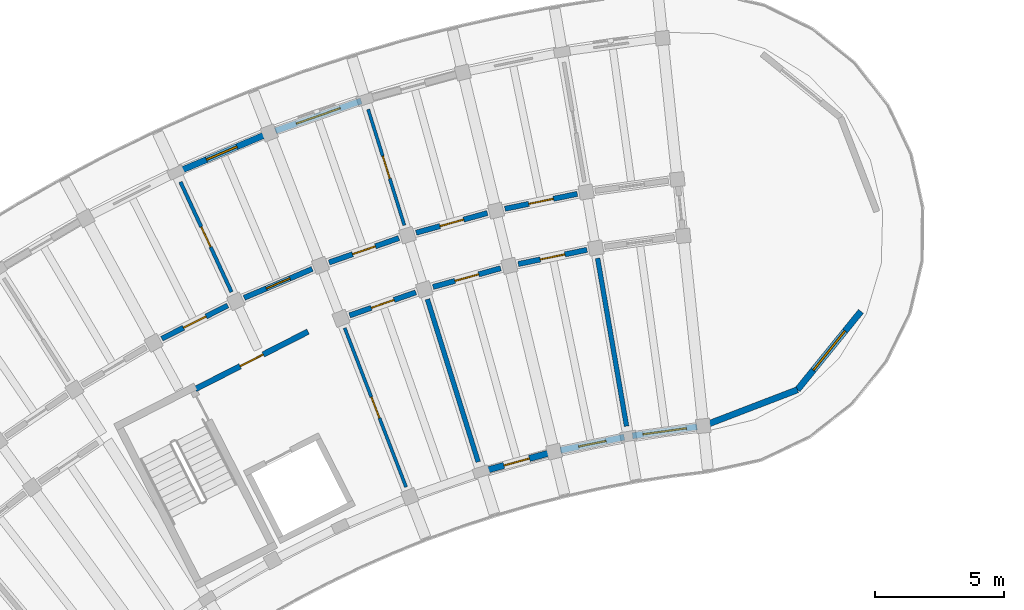
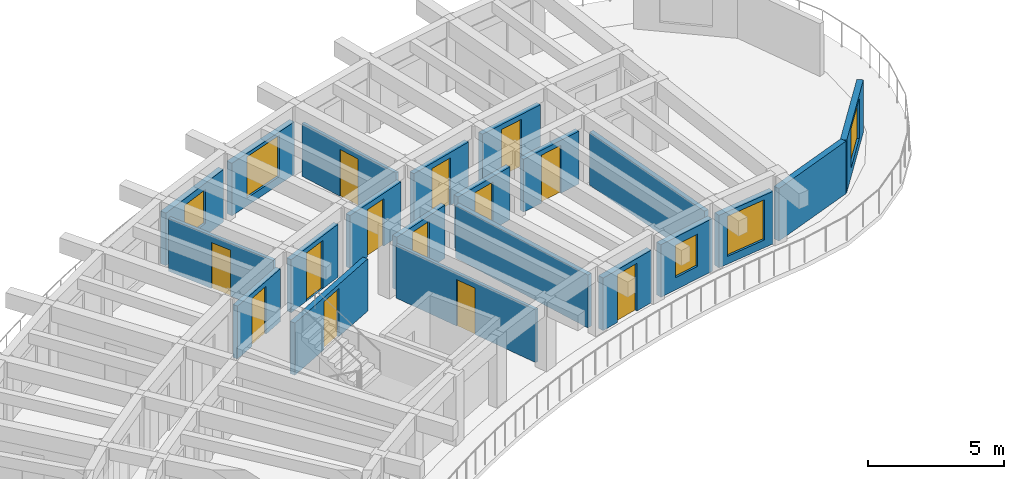
# One storey, part 36 of 69: 21 walls, 13 doors, 5 windows, 18 openings.
"""IFC4 building model written with IfcOpenShell, lengths in metres."""

from ifc_helpers import new_model, si_unit, direction, frame, frame_2d, origin, place, context, subcontext, project, spatial, rectangle, extrude, material, layer, layer_set, type_object, element, fill, save


model = new_model("IFC4")

# Units and contexts
model_context = context("Model", 3, precision=1e-05, world=origin(), true_north=direction((0.0, 1.0)))
body_context = subcontext(model_context, "Body", "Model", "MODEL_VIEW")
ifc_project = project(units=[si_unit("LENGTHUNIT", "METRE"), si_unit("AREAUNIT", "SQUARE_METRE"), si_unit("VOLUMEUNIT", "CUBIC_METRE"), si_unit("PLANEANGLEUNIT", "RADIAN"), si_unit("MASSUNIT", "GRAM", prefix="KILO")], contexts=[model_context])

# Site, building, storey
site_placement = place(None, origin())
site = spatial("IfcSite", under=ifc_project, at=site_placement, CompositionType="ELEMENT")
building_placement = place(site_placement, origin())
building = spatial("IfcBuilding", under=site, at=building_placement, Name="Tanwirah Colonnade Gardens", CompositionType="ELEMENT")
storey_placement = place(building_placement, frame((0.0, 0.0, 15.56005859375)))
storey = spatial("IfcBuildingStorey", under=building, at=storey_placement, Name="L04", CompositionType="ELEMENT", Elevation=15.56005859375)

# Wall, opening, window
ifc_material_1 = material(Name="Limestone architectural precast concrete C40/50", Category="masonry")
ifc_layer_1 = layer(ifc_material_1, 0.2451171875)
ifc_layer_set_1 = layer_set([ifc_layer_1], Name="Limestone architectural precast concrete C40/50")
wall_type_1 = type_object("IfcWallType", Name="EW-PC245", PredefinedType="SOLIDWALL", material=ifc_layer_set_1)
wall_1_placement = place(storey_placement, frame((60.111083984375, 104.372802734375, 0.0), z_axis=(0.0, 0.0, 1.0), x_axis=(-0.990545622952, -0.13718370476, 0.0)))
wall_1 = element("IfcWall", 1, at=wall_1_placement, inside=storey, type_object=wall_type_1, Name="Block A L04 IN Precast Facade Wall 0", PredefinedType="SOLIDWALL", context=body_context, shape_type="SweptSolid", body=[
    extrude(rectangle(XDim=2.525390625, YDim=0.2451171875, at=frame_2d((1.2626953125, 0.0))), origin(), (0.0, 0.0, 1.0), 2.35498046875),
])
opening_1_placement = place(wall_1_placement, frame((0.41259765625, 0.0, 0.35009765625)))
opening_1 = element("IfcOpeningElement", 2, at=opening_1_placement, cuts=wall_1, Name="Opening WIN-T12", PredefinedType="OPENING", context=body_context, shape_type="SweptSolid", body=[
    extrude(rectangle(XDim=1.699951171875, YDim=1.800048828125, at=frame_2d((0.85009765625, 0.89990234375))), frame((0.0, 0.132568359375, 0.0), z_axis=(0.0, -1.0, 0.0), x_axis=(1.0, 0.0, 0.0)), (0.0, 0.0, 1.0), 0.26513671875),
])
ifc_material_2 = material(Name="Thermally broken bronze aluminium and solar low-E double glazing", Category="aluminium")
window_type_1 = type_object("IfcWindowType", Name="WIN-T12", PartitioningType="TRIPLE_PANEL_VERTICAL", PredefinedType="WINDOW", material=ifc_material_2)
window_1_placement = place(opening_1_placement, origin())
window_1 = element("IfcWindow", 3, at=window_1_placement, inside=storey, type_object=window_type_1, Name="Facade window A-L04-IN-00", OverallHeight=1.800048828125, OverallWidth=1.699951171875, PartitioningType="SINGLE_PANEL", PredefinedType="WINDOW", context=body_context, shape_type="SweptSolid", body=[
    extrude(rectangle(XDim=1.699951171875, YDim=1.800048828125, at=frame_2d((0.85009765625, 0.89990234375))), frame((0.0, 0.030029296875, 0.0), z_axis=(0.0, -1.0, 0.0), x_axis=(1.0, 0.0, 0.0)), (0.0, 0.0, 1.0), 0.06005859375),
])
fill(opening_1, window_1)

wall_2_placement = place(storey_placement, frame((57.29443359375, 103.971923828125, 0.0), z_axis=(0.0, 0.0, 1.0), x_axis=(-0.979334432394, -0.20224754517, 0.0)))
wall_2 = element("IfcWall", 4, at=wall_2_placement, inside=storey, type_object=wall_type_1, Name="Block A L04 IN Precast Facade Wall 1", PredefinedType="SOLIDWALL", context=body_context, shape_type="SweptSolid", body=[
    extrude(rectangle(XDim=2.525390625, YDim=0.2451171875, at=frame_2d((1.2626953125, 0.0))), origin(), (0.0, 0.0, 1.0), 2.35498046875),
])
opening_2_placement = place(wall_2_placement, frame((0.72265625, 0.0, 0.550048828125)))
opening_2 = element("IfcOpeningElement", 5, at=opening_2_placement, cuts=wall_2, Name="Opening WIN-T15", PredefinedType="OPENING", context=body_context, shape_type="SweptSolid", body=[
    extrude(rectangle(XDim=1.080078125, YDim=1.449951171875, at=frame_2d((0.5400390625, 0.72509765625))), frame((0.0, 0.132568359375, 0.0), z_axis=(0.0, -1.0, 0.0), x_axis=(1.0, 0.0, 0.0)), (0.0, 0.0, 1.0), 0.26513671875),
])
window_type_2 = type_object("IfcWindowType", Name="WIN-T15", PartitioningType="SINGLE_PANEL", PredefinedType="WINDOW", material=ifc_material_2)
window_2_placement = place(opening_2_placement, origin())
window_2 = element("IfcWindow", 6, at=window_2_placement, inside=storey, type_object=window_type_2, Name="Facade window A-L04-IN-01", OverallHeight=1.449951171875, OverallWidth=1.080078125, PartitioningType="SINGLE_PANEL", PredefinedType="WINDOW", context=body_context, shape_type="SweptSolid", body=[
    extrude(rectangle(XDim=1.080078125, YDim=1.449951171875, at=frame_2d((0.5400390625, 0.72509765625))), frame((0.0, 0.030029296875, 0.0), z_axis=(0.0, -1.0, 0.0), x_axis=(1.0, 0.0, 0.0)), (0.0, 0.0, 1.0), 0.06005859375),
])
fill(opening_2, window_2)

# Wall, opening, door
wall_3_placement = place(storey_placement, frame((54.34521484375, 103.346435546875, 0.0), z_axis=(0.0, 0.0, 1.0), x_axis=(-0.963901971286, -0.266257375017, 0.0)))
wall_3 = element("IfcWall", 7, at=wall_3_placement, inside=storey, type_object=wall_type_1, Name="Block A L04 IN Precast Facade Wall 2", PredefinedType="SOLIDWALL", context=body_context, shape_type="SweptSolid", body=[
    extrude(rectangle(XDim=2.525146484375, YDim=0.2451171875, at=frame_2d((1.2626953125, 0.0))), origin(), (0.0, 0.0, 1.0), 2.35498046875),
])
opening_3_placement = place(wall_3_placement, frame((0.752685546875, 0.0, 0.0)))
opening_3 = element("IfcOpeningElement", 8, at=opening_3_placement, cuts=wall_3, Name="Opening L04-ED018", PredefinedType="OPENING", context=body_context, shape_type="SweptSolid", body=[
    extrude(rectangle(XDim=1.02001953125, YDim=2.139892578125, at=frame_2d((0.510009765625, 1.06982421875))), frame((0.0, 0.132568359375, 0.0), z_axis=(0.0, -1.0, 0.0), x_axis=(1.0, 0.0, 0.0)), (0.0, 0.0, 1.0), 0.26513671875),
])
ifc_material_3 = material(Name="Bronze aluminium glazed balcony door", Category="aluminium")
door_type_1 = type_object("IfcDoorType", Name="ED-BAL102", OperationType="NOTDEFINED", PredefinedType="DOOR", material=ifc_material_3)
door_1_placement = place(opening_3_placement, origin())
door_1 = element("IfcDoor", 9, at=door_1_placement, inside=storey, type_object=door_type_1, Name="Balcony glazed door L04-ED018", OperationType="SINGLE_SWING_LEFT", OverallHeight=2.139892578125, OverallWidth=1.02001953125, PredefinedType="DOOR", context=body_context, shape_type="SweptSolid", body=[
    extrude(rectangle(XDim=1.02001953125, YDim=2.139892578125, at=frame_2d((0.510009765625, 1.06982421875))), frame((0.0, 0.02490234375, 0.0), z_axis=(0.0, -1.0, 0.0), x_axis=(1.0, 0.0, 0.0)), (0.0, 0.0, 1.0), 0.050048828125),
])
fill(opening_3, door_1)

# Wall, opening, window
wall_4_placement = place(storey_placement, frame((47.107177734375, 116.992919921875, 0.0), z_axis=(0.0, 0.0, 1.0), x_axis=(-0.944267366677, -0.329179495455, 0.0)))
wall_4 = element("IfcWall", 10, at=wall_4_placement, inside=storey, type_object=wall_type_1, Name="Block A L04 OUT Precast Facade Wall 3", PredefinedType="SOLIDWALL", context=body_context, shape_type="SweptSolid", body=[
    extrude(rectangle(XDim=3.520751953125, YDim=0.2451171875, at=frame_2d((1.76025390625, 0.0))), origin(), (0.0, 0.0, 1.0), 2.35498046875),
])
opening_4_placement = place(wall_4_placement, frame((0.8603515625, 0.0, 0.35009765625)))
opening_4 = element("IfcOpeningElement", 11, at=opening_4_placement, cuts=wall_4, Name="Opening WIN-T14", PredefinedType="OPENING", context=body_context, shape_type="SweptSolid", body=[
    extrude(rectangle(XDim=1.800048828125, YDim=1.85009765625, at=frame_2d((0.89990234375, 0.925048828125))), frame((0.0, 0.132568359375, 0.0), z_axis=(0.0, -1.0, 0.0), x_axis=(1.0, 0.0, 0.0)), (0.0, 0.0, 1.0), 0.26513671875),
])
window_type_3 = type_object("IfcWindowType", Name="WIN-T14", PartitioningType="TRIPLE_PANEL_VERTICAL", PredefinedType="WINDOW", material=ifc_material_2)
window_3_placement = place(opening_4_placement, origin())
window_3 = element("IfcWindow", 12, at=window_3_placement, inside=storey, type_object=window_type_3, Name="Facade window A-L04-OUT-03", OverallHeight=1.85009765625, OverallWidth=1.800048828125, PartitioningType="SINGLE_PANEL", PredefinedType="WINDOW", context=body_context, shape_type="SweptSolid", body=[
    extrude(rectangle(XDim=1.800048828125, YDim=1.85009765625, at=frame_2d((0.89990234375, 0.925048828125))), frame((0.0, 0.030029296875, 0.0), z_axis=(0.0, -1.0, 0.0), x_axis=(1.0, 0.0, 0.0)), (0.0, 0.0, 1.0), 0.06005859375),
])
fill(opening_4, window_3)

wall_5_placement = place(storey_placement, frame((43.325927734375, 115.657470703125, 0.0), z_axis=(0.0, 0.0, 1.0), x_axis=(-0.920502438884, -0.390736816807, 0.0)))
wall_5 = element("IfcWall", 13, at=wall_5_placement, inside=storey, type_object=wall_type_1, Name="Block A L04 OUT Precast Facade Wall 4", PredefinedType="SOLIDWALL", context=body_context, shape_type="SweptSolid", body=[
    extrude(rectangle(XDim=3.520751953125, YDim=0.2451171875, at=frame_2d((1.76025390625, 0.0))), origin(), (0.0, 0.0, 1.0), 2.35498046875),
])
opening_5_placement = place(wall_5_placement, frame((1.120361328125, 0.0, 0.550048828125)))
opening_5 = element("IfcOpeningElement", 14, at=opening_5_placement, cuts=wall_5, Name="Opening WIN-T17", PredefinedType="OPENING", context=body_context, shape_type="SweptSolid", body=[
    extrude(rectangle(XDim=1.280029296875, YDim=1.52001953125, at=frame_2d((0.64013671875, 0.760009765625))), frame((0.0, 0.132568359375, 0.0), z_axis=(0.0, -1.0, 0.0), x_axis=(1.0, 0.0, 0.0)), (0.0, 0.0, 1.0), 0.26513671875),
])
window_type_4 = type_object("IfcWindowType", Name="WIN-T17", PartitioningType="SINGLE_PANEL", PredefinedType="WINDOW", material=ifc_material_2)
window_4_placement = place(opening_5_placement, origin())
window_4 = element("IfcWindow", 15, at=window_4_placement, inside=storey, type_object=window_type_4, Name="Facade window A-L04-OUT-04", OverallHeight=1.52001953125, OverallWidth=1.280029296875, PartitioningType="SINGLE_PANEL", PredefinedType="WINDOW", context=body_context, shape_type="SweptSolid", body=[
    extrude(rectangle(XDim=1.280029296875, YDim=1.52001953125, at=frame_2d((0.64013671875, 0.760009765625))), frame((0.0, 0.030029296875, 0.0), z_axis=(0.0, -1.0, 0.0), x_axis=(1.0, 0.0, 0.0)), (0.0, 0.0, 1.0), 0.06005859375),
])
fill(opening_5, window_4)

wall_6_placement = place(storey_placement, frame((66.461669921875, 108.84423828125, 0.0), z_axis=(0.0, 0.0, 1.0), x_axis=(-0.629331205321, -0.777137204109, 0.0)))
wall_6 = element("IfcWall", 16, at=wall_6_placement, inside=storey, type_object=wall_type_1, Name="Block A L04 START Rounded End Wall 4", PredefinedType="SOLIDWALL", context=body_context, shape_type="SweptSolid", body=[
    extrude(rectangle(XDim=3.907958984375, YDim=0.2451171875, at=frame_2d((1.9541015625, 0.0))), origin(), (0.0, 0.0, 1.0), 2.35498046875),
])
opening_6_placement = place(wall_6_placement, frame((0.97900390625, 0.0, 0.39990234375)))
opening_6 = element("IfcOpeningElement", 17, at=opening_6_placement, cuts=wall_6, Name="Opening WIN-END2", PredefinedType="OPENING", context=body_context, shape_type="SweptSolid", body=[
    extrude(rectangle(XDim=1.949951171875, YDim=1.780029296875, at=frame_2d((0.97509765625, 0.89013671875))), frame((0.0, 0.132568359375, 0.0), z_axis=(0.0, -1.0, 0.0), x_axis=(1.0, 0.0, 0.0)), (0.0, 0.0, 1.0), 0.26513671875),
])
window_type_5 = type_object("IfcWindowType", Name="WIN-END2", PartitioningType="TRIPLE_PANEL_VERTICAL", PredefinedType="WINDOW", material=ifc_material_2)
window_5_placement = place(opening_6_placement, origin())
window_5 = element("IfcWindow", 18, at=window_5_placement, inside=storey, type_object=window_type_5, Name="Rounded corner window A-L04-START-4", OverallHeight=1.780029296875, OverallWidth=1.949951171875, PartitioningType="SINGLE_PANEL", PredefinedType="WINDOW", context=body_context, shape_type="SweptSolid", body=[
    extrude(rectangle(XDim=1.949951171875, YDim=1.780029296875, at=frame_2d((0.97509765625, 0.89013671875))), frame((0.0, 0.030029296875, 0.0), z_axis=(0.0, -1.0, 0.0), x_axis=(1.0, 0.0, 0.0)), (0.0, 0.0, 1.0), 0.06005859375),
])
fill(opening_6, window_5)

# Wall
wall_7_placement = place(storey_placement, frame((64.002197265625, 105.80712890625, 0.0), z_axis=(0.0, 0.0, 1.0), x_axis=(-0.93356922619, -0.35839712598, 0.0)))
element("IfcWall", 19, at=wall_7_placement, inside=storey, type_object=wall_type_1, Name="Block A L04 START Rounded End Wall 5", PredefinedType="SOLIDWALL", context=body_context, shape_type="SweptSolid", body=[
    extrude(rectangle(XDim=3.907958984375, YDim=0.2451171875, at=frame_2d((1.9541015625, 0.0))), origin(), (0.0, 0.0, 1.0), 2.35498046875),
])

# Wall, opening, door
ifc_material_4 = material(Name="Precast concrete C40/50", Category="concrete")
ifc_layer_2 = layer(ifc_material_4, 0.205078125)
ifc_layer_set_2 = layer_set([ifc_layer_2], Name="Precast concrete C40/50")
wall_type_2 = type_object("IfcWallType", Name="IW-CORR205", PredefinedType="PARTITIONING", material=ifc_layer_set_2)
wall_8_placement = place(storey_placement, frame((55.47802734375, 113.39404296875, 0.0), z_axis=(0.0, 0.0, 1.0), x_axis=(-0.979348418612, -0.202179808492, 0.0)))
wall_8 = element("IfcWall", 20, at=wall_8_placement, inside=storey, type_object=wall_type_2, Name="Block A L04 OUT Corridor Wall 1", PredefinedType="PARTITIONING", context=body_context, shape_type="SweptSolid", body=[
    extrude(rectangle(XDim=2.863037109375, YDim=0.205078125, at=frame_2d((1.431640625, 0.0))), origin(), (0.0, 0.0, 1.0), 2.369873046875),
])
opening_7_placement = place(wall_8_placement, frame((0.946533203125, 0.0, 0.0)))
opening_7 = element("IfcOpeningElement", 21, at=opening_7_placement, cuts=wall_8, Name="Opening L04-AD392", PredefinedType="OPENING", context=body_context, shape_type="SweptSolid", body=[
    extrude(rectangle(XDim=0.969970703125, YDim=2.14990234375, at=frame_2d((0.48486328125, 1.074951171875))), frame((0.0, 0.112548828125, 0.0), z_axis=(0.0, -1.0, 0.0), x_axis=(1.0, 0.0, 0.0)), (0.0, 0.0, 1.0), 0.22509765625),
])
ifc_material_5 = material(Name="Solid oak fire-resisting apartment entrance door")
door_type_2 = type_object("IfcDoorType", Name="ID-FLT097", OperationType="NOTDEFINED", PredefinedType="DOOR", material=ifc_material_5)
door_2_placement = place(opening_7_placement, origin())
door_2 = element("IfcDoor", 22, at=door_2_placement, inside=storey, type_object=door_type_2, Name="Apartment corridor door L04-AD392", OperationType="SINGLE_SWING_RIGHT", OverallHeight=2.14990234375, OverallWidth=0.969970703125, PredefinedType="DOOR", context=body_context, shape_type="SweptSolid", body=[
    extrude(rectangle(XDim=0.969970703125, YDim=2.14990234375, at=frame_2d((0.48486328125, 1.074951171875))), frame((0.0, 0.02490234375, 0.0), z_axis=(0.0, -1.0, 0.0), x_axis=(1.0, 0.0, 0.0)), (0.0, 0.0, 1.0), 0.050048828125),
])
fill(opening_7, door_2)

wall_9_placement = place(storey_placement, frame((55.851806640625, 111.22607421875, 0.0), z_axis=(0.0, 0.0, 1.0), x_axis=(-0.979349423541, -0.202174940608, 0.0)))
wall_9 = element("IfcWall", 23, at=wall_9_placement, inside=storey, type_object=wall_type_2, Name="Block A L04 IN Corridor Wall 1", PredefinedType="PARTITIONING", context=body_context, shape_type="SweptSolid", body=[
    extrude(rectangle(XDim=2.71826171875, YDim=0.205078125, at=frame_2d((1.359130859375, 0.0))), origin(), (0.0, 0.0, 1.0), 2.369873046875),
])
opening_8_placement = place(wall_9_placement, frame((0.8740234375, 0.0, 0.0)))
opening_8 = element("IfcOpeningElement", 24, at=opening_8_placement, cuts=wall_9, Name="Opening L04-AD393", PredefinedType="OPENING", context=body_context, shape_type="SweptSolid", body=[
    extrude(rectangle(XDim=0.969970703125, YDim=2.14990234375, at=frame_2d((0.48486328125, 1.074951171875))), frame((0.0, 0.112548828125, 0.0), z_axis=(0.0, -1.0, 0.0), x_axis=(1.0, 0.0, 0.0)), (0.0, 0.0, 1.0), 0.22509765625),
])
door_3_placement = place(opening_8_placement, origin())
door_3 = element("IfcDoor", 25, at=door_3_placement, inside=storey, type_object=door_type_2, Name="Apartment corridor door L04-AD393", OperationType="SINGLE_SWING_LEFT", OverallHeight=2.14990234375, OverallWidth=0.969970703125, PredefinedType="DOOR", context=body_context, shape_type="SweptSolid", body=[
    extrude(rectangle(XDim=0.969970703125, YDim=2.14990234375, at=frame_2d((0.48486328125, 1.074951171875))), frame((0.0, 0.02490234375, 0.0), z_axis=(0.0, -1.0, 0.0), x_axis=(1.0, 0.0, 0.0)), (0.0, 0.0, 1.0), 0.050048828125),
])
fill(opening_8, door_3)

wall_10_placement = place(storey_placement, frame((51.993896484375, 112.651123046875, 0.0), z_axis=(0.0, 0.0, 1.0), x_axis=(-0.963890789093, -0.266297853356, 0.0)))
wall_10 = element("IfcWall", 26, at=wall_10_placement, inside=storey, type_object=wall_type_2, Name="Block A L04 OUT Corridor Wall 2", PredefinedType="PARTITIONING", context=body_context, shape_type="SweptSolid", body=[
    extrude(rectangle(XDim=2.863037109375, YDim=0.205078125, at=frame_2d((1.431640625, 0.0))), origin(), (0.0, 0.0, 1.0), 2.369873046875),
])
opening_9_placement = place(wall_10_placement, frame((0.95654296875, 0.0, 0.0)))
opening_9 = element("IfcOpeningElement", 27, at=opening_9_placement, cuts=wall_10, Name="Opening L04-AD394", PredefinedType="OPENING", context=body_context, shape_type="SweptSolid", body=[
    extrude(rectangle(XDim=0.949951171875, YDim=2.1298828125, at=frame_2d((0.47509765625, 1.06494140625))), frame((0.0, 0.112548828125, 0.0), z_axis=(0.0, -1.0, 0.0), x_axis=(1.0, 0.0, 0.0)), (0.0, 0.0, 1.0), 0.22509765625),
])
door_type_3 = type_object("IfcDoorType", Name="ID-FLT095", OperationType="NOTDEFINED", PredefinedType="DOOR", material=ifc_material_5)
door_4_placement = place(opening_9_placement, origin())
door_4 = element("IfcDoor", 28, at=door_4_placement, inside=storey, type_object=door_type_3, Name="Apartment corridor door L04-AD394", OperationType="SINGLE_SWING_LEFT", OverallHeight=2.1298828125, OverallWidth=0.949951171875, PredefinedType="DOOR", context=body_context, shape_type="SweptSolid", body=[
    extrude(rectangle(XDim=0.949951171875, YDim=2.1298828125, at=frame_2d((0.47509765625, 1.06494140625))), frame((0.0, 0.02490234375, 0.0), z_axis=(0.0, -1.0, 0.0), x_axis=(1.0, 0.0, 0.0)), (0.0, 0.0, 1.0), 0.050048828125),
])
fill(opening_9, door_4)

wall_11_placement = place(storey_placement, frame((52.509521484375, 110.512451171875, 0.0), z_axis=(0.0, 0.0, 1.0), x_axis=(-0.96388375821, -0.266323301006, 0.0)))
wall_11 = element("IfcWall", 29, at=wall_11_placement, inside=storey, type_object=wall_type_2, Name="Block A L04 IN Corridor Wall 2", PredefinedType="PARTITIONING", context=body_context, shape_type="SweptSolid", body=[
    extrude(rectangle(XDim=2.718017578125, YDim=0.205078125, at=frame_2d((1.35888671875, 0.0))), origin(), (0.0, 0.0, 1.0), 2.369873046875),
])
opening_10_placement = place(wall_11_placement, frame((0.884033203125, 0.0, 0.0)))
opening_10 = element("IfcOpeningElement", 30, at=opening_10_placement, cuts=wall_11, Name="Opening L04-AD395", PredefinedType="OPENING", context=body_context, shape_type="SweptSolid", body=[
    extrude(rectangle(XDim=0.949951171875, YDim=2.1298828125, at=frame_2d((0.47509765625, 1.06494140625))), frame((0.0, 0.112548828125, 0.0), z_axis=(0.0, -1.0, 0.0), x_axis=(1.0, 0.0, 0.0)), (0.0, 0.0, 1.0), 0.22509765625),
])
door_5_placement = place(opening_10_placement, origin())
door_5 = element("IfcDoor", 31, at=door_5_placement, inside=storey, type_object=door_type_3, Name="Apartment corridor door L04-AD395", OperationType="SINGLE_SWING_RIGHT", OverallHeight=2.1298828125, OverallWidth=0.949951171875, PredefinedType="DOOR", context=body_context, shape_type="SweptSolid", body=[
    extrude(rectangle(XDim=0.949951171875, YDim=2.1298828125, at=frame_2d((0.47509765625, 1.06494140625))), frame((0.0, 0.02490234375, 0.0), z_axis=(0.0, -1.0, 0.0), x_axis=(1.0, 0.0, 0.0)), (0.0, 0.0, 1.0), 0.050048828125),
])
fill(opening_10, door_5)

wall_12_placement = place(storey_placement, frame((48.56640625, 111.68017578125, 0.0), z_axis=(0.0, 0.0, 1.0), x_axis=(-0.944253820929, -0.329218349522, 0.0)))
wall_12 = element("IfcWall", 32, at=wall_12_placement, inside=storey, type_object=wall_type_2, Name="Block A L04 OUT Corridor Wall 3", PredefinedType="PARTITIONING", context=body_context, shape_type="SweptSolid", body=[
    extrude(rectangle(XDim=2.86328125, YDim=0.205078125, at=frame_2d((1.431640625, 0.0))), origin(), (0.0, 0.0, 1.0), 2.369873046875),
])
opening_11_placement = place(wall_12_placement, frame((0.966552734375, 0.0, 0.0)))
opening_11 = element("IfcOpeningElement", 33, at=opening_11_placement, cuts=wall_12, Name="Opening L04-AD397", PredefinedType="OPENING", context=body_context, shape_type="SweptSolid", body=[
    extrude(rectangle(XDim=0.929931640625, YDim=2.1201171875, at=frame_2d((0.46484375, 1.06005859375))), frame((0.0, 0.112548828125, 0.0), z_axis=(0.0, -1.0, 0.0), x_axis=(1.0, 0.0, 0.0)), (0.0, 0.0, 1.0), 0.22509765625),
])
door_type_4 = type_object("IfcDoorType", Name="ID-FLT093", OperationType="NOTDEFINED", PredefinedType="DOOR", material=ifc_material_5)
door_6_placement = place(opening_11_placement, origin())
door_6 = element("IfcDoor", 34, at=door_6_placement, inside=storey, type_object=door_type_4, Name="Apartment corridor door L04-AD397", OperationType="SINGLE_SWING_RIGHT", OverallHeight=2.1201171875, OverallWidth=0.929931640625, PredefinedType="DOOR", context=body_context, shape_type="SweptSolid", body=[
    extrude(rectangle(XDim=0.929931640625, YDim=2.1201171875, at=frame_2d((0.46484375, 1.06005859375))), frame((0.0, 0.02490234375, 0.0), z_axis=(0.0, -1.0, 0.0), x_axis=(1.0, 0.0, 0.0)), (0.0, 0.0, 1.0), 0.050048828125),
])
fill(opening_11, door_6)

wall_13_placement = place(storey_placement, frame((49.221923828125, 109.580078125, 0.0), z_axis=(0.0, 0.0, 1.0), x_axis=(-0.944265123647, -0.329185929627, 0.0)))
wall_13 = element("IfcWall", 35, at=wall_13_placement, inside=storey, type_object=wall_type_2, Name="Block A L04 IN Corridor Wall 3", PredefinedType="PARTITIONING", context=body_context, shape_type="SweptSolid", body=[
    extrude(rectangle(XDim=2.71826171875, YDim=0.205078125, at=frame_2d((1.359130859375, 0.0))), origin(), (0.0, 0.0, 1.0), 2.369873046875),
])
opening_12_placement = place(wall_13_placement, frame((0.89404296875, 0.0, 0.0)))
opening_12 = element("IfcOpeningElement", 36, at=opening_12_placement, cuts=wall_13, Name="Opening L04-AD398", PredefinedType="OPENING", context=body_context, shape_type="SweptSolid", body=[
    extrude(rectangle(XDim=0.929931640625, YDim=2.1201171875, at=frame_2d((0.46484375, 1.06005859375))), frame((0.0, 0.112548828125, 0.0), z_axis=(0.0, -1.0, 0.0), x_axis=(1.0, 0.0, 0.0)), (0.0, 0.0, 1.0), 0.22509765625),
])
door_7_placement = place(opening_12_placement, origin())
door_7 = element("IfcDoor", 37, at=door_7_placement, inside=storey, type_object=door_type_4, Name="Apartment corridor door L04-AD398", OperationType="SINGLE_SWING_LEFT", OverallHeight=2.1201171875, OverallWidth=0.929931640625, PredefinedType="DOOR", context=body_context, shape_type="SweptSolid", body=[
    extrude(rectangle(XDim=0.929931640625, YDim=2.1201171875, at=frame_2d((0.46484375, 1.06005859375))), frame((0.0, 0.02490234375, 0.0), z_axis=(0.0, -1.0, 0.0), x_axis=(1.0, 0.0, 0.0)), (0.0, 0.0, 1.0), 0.050048828125),
])
fill(opening_12, door_7)

wall_14_placement = place(storey_placement, frame((45.210205078125, 110.485595703125, 0.0), z_axis=(0.0, 0.0, 1.0), x_axis=(-0.920511160294, -0.390716270168, 0.0)))
wall_14 = element("IfcWall", 38, at=wall_14_placement, inside=storey, type_object=wall_type_2, Name="Block A L04 OUT Corridor Wall 4", PredefinedType="PARTITIONING", context=body_context, shape_type="SweptSolid", body=[
    extrude(rectangle(XDim=2.863037109375, YDim=0.205078125, at=frame_2d((1.431640625, 0.0))), origin(), (0.0, 0.0, 1.0), 2.369873046875),
])
opening_13_placement = place(wall_14_placement, frame((0.9365234375, 0.0, 0.0)))
opening_13 = element("IfcOpeningElement", 39, at=opening_13_placement, cuts=wall_14, Name="Opening L04-AD400", PredefinedType="OPENING", context=body_context, shape_type="SweptSolid", body=[
    extrude(rectangle(XDim=0.989990234375, YDim=2.159912109375, at=frame_2d((0.4951171875, 1.080078125))), frame((0.0, 0.112548828125, 0.0), z_axis=(0.0, -1.0, 0.0), x_axis=(1.0, 0.0, 0.0)), (0.0, 0.0, 1.0), 0.22509765625),
])
door_type_5 = type_object("IfcDoorType", Name="ID-FLT099", OperationType="NOTDEFINED", PredefinedType="DOOR", material=ifc_material_5)
door_8_placement = place(opening_13_placement, origin())
door_8 = element("IfcDoor", 40, at=door_8_placement, inside=storey, type_object=door_type_5, Name="Apartment corridor door L04-AD400", OperationType="SINGLE_SWING_LEFT", OverallHeight=2.159912109375, OverallWidth=0.989990234375, PredefinedType="DOOR", context=body_context, shape_type="SweptSolid", body=[
    extrude(rectangle(XDim=0.989990234375, YDim=2.159912109375, at=frame_2d((0.4951171875, 1.080078125))), frame((0.0, 0.02490234375, 0.0), z_axis=(0.0, -1.0, 0.0), x_axis=(1.0, 0.0, 0.0)), (0.0, 0.0, 1.0), 0.050048828125),
])
fill(opening_13, door_8)

wall_15_placement = place(storey_placement, frame((41.93994140625, 109.072509765625, 0.0), z_axis=(0.0, 0.0, 1.0), x_axis=(-0.89273239336, -0.450587254419, 0.0)))
wall_15 = element("IfcWall", 41, at=wall_15_placement, inside=storey, type_object=wall_type_2, Name="Block A L04 OUT Corridor Wall 5", PredefinedType="PARTITIONING", context=body_context, shape_type="SweptSolid", body=[
    extrude(rectangle(XDim=2.863037109375, YDim=0.205078125, at=frame_2d((1.431640625, 0.0))), origin(), (0.0, 0.0, 1.0), 2.369873046875),
])
opening_14_placement = place(wall_15_placement, frame((0.946533203125, 0.0, 0.0)))
opening_14 = element("IfcOpeningElement", 42, at=opening_14_placement, cuts=wall_15, Name="Opening L04-AD402", PredefinedType="OPENING", context=body_context, shape_type="SweptSolid", body=[
    extrude(rectangle(XDim=0.969970703125, YDim=2.14990234375, at=frame_2d((0.48486328125, 1.074951171875))), frame((0.0, 0.112548828125, 0.0), z_axis=(0.0, -1.0, 0.0), x_axis=(1.0, 0.0, 0.0)), (0.0, 0.0, 1.0), 0.22509765625),
])
door_9_placement = place(opening_14_placement, origin())
door_9 = element("IfcDoor", 43, at=door_9_placement, inside=storey, type_object=door_type_2, Name="Apartment corridor door L04-AD402", OperationType="SINGLE_SWING_RIGHT", OverallHeight=2.14990234375, OverallWidth=0.969970703125, PredefinedType="DOOR", context=body_context, shape_type="SweptSolid", body=[
    extrude(rectangle(XDim=0.969970703125, YDim=2.14990234375, at=frame_2d((0.48486328125, 1.074951171875))), frame((0.0, 0.02490234375, 0.0), z_axis=(0.0, -1.0, 0.0), x_axis=(1.0, 0.0, 0.0)), (0.0, 0.0, 1.0), 0.050048828125),
])
fill(opening_14, door_9)

# Walls
ifc_layer_3 = layer(ifc_material_4, 0.18505859375)
ifc_layer_set_3 = layer_set([ifc_layer_3], Name="Precast concrete C40/50")
wall_type_3 = type_object("IfcWallType", Name="IW-DEM185", PredefinedType="PARTITIONING", material=ifc_layer_set_3)
for number, where, z_axis, x_axis, name in (
    (44, (57.38330078125, 104.3984375, 0.0), (0.0, 0.0, 1.0), (-0.169825160084, 0.985474208187, 0.0), "Block A L04 Inner Radial Partition 0"),
    (45, (51.637939453125, 103.01318359375, 0.0), (0.0, 0.0, 1.0), (-0.2979590431, 0.954578655028, 0.0), "Block A L04 Inner Radial Partition 2"),
):
    element("IfcWall", number, at=place(storey_placement, frame(where, z_axis=z_axis, x_axis=x_axis)), inside=storey, type_object=wall_type_3, Name=name, PredefinedType="PARTITIONING", context=body_context, shape_type="SweptSolid", body=[
        extrude(rectangle(XDim=6.60009765625, YDim=0.18505859375, at=frame_2d((3.300048828125, 0.0))), origin(), (0.0, 0.0, 1.0), 2.369873046875),
    ])

# Wall, opening, door
ifc_material_6 = material(Name="Autoclaved aerated masonry blockwork", Category="masonry")
ifc_layer_4 = layer(ifc_material_6, 0.219970703125)
ifc_layer_set_4 = layer_set([ifc_layer_4], Name="Autoclaved aerated masonry blockwork")
wall_type_4 = type_object("IfcWallType", Name="IW-FFL220", PredefinedType="PARTITIONING", material=ifc_layer_set_4)
wall_16_placement = place(storey_placement, frame((40.68212890625, 105.833740234375, 0.0), z_axis=(0.0, 0.0, 1.0), x_axis=(0.891003372311, 0.453996685595, 0.0)))
wall_16 = element("IfcWall", 46, at=wall_16_placement, inside=storey, type_object=wall_type_4, Name="CORE-A1 L04 Enclosed Lobby Fire Wall", PredefinedType="PARTITIONING", context=body_context, shape_type="SweptSolid", body=[
    extrude(rectangle(XDim=4.900146484375, YDim=0.219970703125, at=frame_2d((2.4501953125, 0.0))), origin(), (0.0, 0.0, 1.0), 2.33984375),
])
opening_15_placement = place(wall_16_placement, frame((1.949951171875, 0.0, 0.0)))
opening_15 = element("IfcOpeningElement", 47, at=opening_15_placement, cuts=wall_16, Name="Opening L04-LD022", PredefinedType="OPENING", context=body_context, shape_type="SweptSolid", body=[
    extrude(rectangle(XDim=1.0, YDim=2.14990234375, at=frame_2d((0.5, 1.074951171875))), frame((0.0, 0.119873046875, 0.0), z_axis=(0.0, -1.0, 0.0), x_axis=(1.0, 0.0, 0.0)), (0.0, 0.0, 1.0), 0.239990234375),
])
ifc_material_7 = material(Name="Acoustic fire-resisting lobby door")
door_type_6 = type_object("IfcDoorType", Name="ID-FFL100", OperationType="NOTDEFINED", PredefinedType="DOOR", material=ifc_material_7)
door_10_placement = place(opening_15_placement, origin())
door_10 = element("IfcDoor", 48, at=door_10_placement, inside=storey, type_object=door_type_6, Name="CORE-A1 L04 Lobby Fire Door L04-LD022", OperationType="SINGLE_SWING_LEFT", OverallHeight=2.14990234375, OverallWidth=1.0, PredefinedType="DOOR", context=body_context, shape_type="SweptSolid", body=[
    extrude(rectangle(XDim=1.0, YDim=2.14990234375, at=frame_2d((0.5, 1.074951171875))), frame((0.0, 0.02490234375, 0.0), z_axis=(0.0, -1.0, 0.0), x_axis=(1.0, 0.0, 0.0)), (0.0, 0.0, 1.0), 0.050048828125),
])
fill(opening_15, door_10)

ifc_material_8 = material(Name="Moisture-resistant gypsum stud partition")
ifc_layer_5 = layer(ifc_material_8, 0.125)
ifc_layer_set_5 = layer_set([ifc_layer_5], Name="Moisture-resistant gypsum stud partition")
wall_type_5 = type_object("IfcWallType", Name="IW-INT125", PredefinedType="PARTITIONING", material=ifc_layer_set_5)
wall_17_placement = place(storey_placement, frame((48.777587890625, 112.17724609375, 0.0), z_axis=(0.0, 0.0, 1.0), x_axis=(-0.297905254614, 0.954595442726, 0.0)))
wall_17 = element("IfcWall", 49, at=wall_17_placement, inside=storey, type_object=wall_type_5, Name="Block A L04 Radial Partition 2", PredefinedType="PARTITIONING", context=body_context, shape_type="SweptSolid", body=[
    extrude(rectangle(XDim=4.699951171875, YDim=0.125, at=frame_2d((2.35009765625, 0.0))), origin(), (0.0, 0.0, 1.0), 2.369873046875),
])
opening_16_placement = place(wall_17_placement, frame((1.89501953125, 0.0, 0.0)))
opening_16 = element("IfcOpeningElement", 50, at=opening_16_placement, cuts=wall_17, Name="Opening L04-RD396", PredefinedType="OPENING", context=body_context, shape_type="SweptSolid", body=[
    extrude(rectangle(XDim=0.909912109375, YDim=2.10009765625, at=frame_2d((0.455078125, 1.050048828125))), frame((0.0, 0.072509765625, 0.0), z_axis=(0.0, -1.0, 0.0), x_axis=(1.0, 0.0, 0.0)), (0.0, 0.0, 1.0), 0.14501953125),
])
ifc_material_9 = material(Name="Painted hardwood internal room door", Category="wood")
door_type_7 = type_object("IfcDoorType", Name="ID-RM091", OperationType="NOTDEFINED", PredefinedType="DOOR", material=ifc_material_9)
door_11_placement = place(opening_16_placement, origin())
door_11 = element("IfcDoor", 51, at=door_11_placement, inside=storey, type_object=door_type_7, Name="Internal apartment door L04-RD396", OperationType="SINGLE_SWING_LEFT", OverallHeight=2.10009765625, OverallWidth=0.909912109375, PredefinedType="DOOR", context=body_context, shape_type="SweptSolid", body=[
    extrude(rectangle(XDim=0.909912109375, YDim=2.10009765625, at=frame_2d((0.455078125, 1.050048828125))), frame((0.0, 0.02490234375, 0.0), z_axis=(0.0, -1.0, 0.0), x_axis=(1.0, 0.0, 0.0)), (0.0, 0.0, 1.0), 0.050048828125),
])
fill(opening_16, door_11)

wall_18_placement = place(storey_placement, frame((48.845947265625, 102.039794921875, 0.0), z_axis=(0.0, 0.0, 1.0), x_axis=(-0.360183473608, 0.932881485152, 0.0)))
wall_18 = element("IfcWall", 52, at=wall_18_placement, inside=storey, type_object=wall_type_5, Name="Block A L04 Inner Radial Partition 3", PredefinedType="PARTITIONING", context=body_context, shape_type="SweptSolid", body=[
    extrude(rectangle(XDim=6.599853515625, YDim=0.125, at=frame_2d((3.2998046875, 0.0))), origin(), (0.0, 0.0, 1.0), 2.369873046875),
])
opening_17_placement = place(wall_18_placement, frame((2.864990234375, 0.0, 0.0)))
opening_17 = element("IfcOpeningElement", 53, at=opening_17_placement, cuts=wall_18, Name="Opening L04-RD399", PredefinedType="OPENING", context=body_context, shape_type="SweptSolid", body=[
    extrude(rectangle(XDim=0.8701171875, YDim=2.080078125, at=frame_2d((0.43505859375, 1.0400390625))), frame((0.0, 0.072509765625, 0.0), z_axis=(0.0, -1.0, 0.0), x_axis=(1.0, 0.0, 0.0)), (0.0, 0.0, 1.0), 0.14501953125),
])
ifc_material_10 = material(Name="Painted hardwood study door", Category="wood")
door_type_8 = type_object("IfcDoorType", Name="ID-RM087", OperationType="NOTDEFINED", PredefinedType="DOOR", material=ifc_material_10)
door_12_placement = place(opening_17_placement, origin())
door_12 = element("IfcDoor", 54, at=door_12_placement, inside=storey, type_object=door_type_8, Name="Internal apartment door L04-RD399", OperationType="SINGLE_SWING_LEFT", OverallHeight=2.080078125, OverallWidth=0.8701171875, PredefinedType="DOOR", context=body_context, shape_type="SweptSolid", body=[
    extrude(rectangle(XDim=0.8701171875, YDim=2.080078125, at=frame_2d((0.43505859375, 1.0400390625))), frame((0.0, 0.02490234375, 0.0), z_axis=(0.0, -1.0, 0.0), x_axis=(1.0, 0.0, 0.0)), (0.0, 0.0, 1.0), 0.050048828125),
])
fill(opening_17, door_12)

ifc_material_11 = material(Name="Water-resistant acoustic plumbing partition")
ifc_layer_6 = layer(ifc_material_11, 0.139892578125)
ifc_layer_set_6 = layer_set([ifc_layer_6], Name="Water-resistant acoustic plumbing partition")
wall_type_6 = type_object("IfcWallType", Name="IW-WET140", PredefinedType="PLUMBINGWALL", material=ifc_layer_set_6)
wall_19_placement = place(storey_placement, frame((42.084228515625, 109.593017578125, 0.0), z_axis=(0.0, 0.0, 1.0), x_axis=(-0.420862519045, 0.907124434718, 0.0)))
wall_19 = element("IfcWall", 55, at=wall_19_placement, inside=storey, type_object=wall_type_6, Name="Block A L04 Radial Partition 4", PredefinedType="PLUMBINGWALL", context=body_context, shape_type="SweptSolid", body=[
    extrude(rectangle(XDim=4.699951171875, YDim=0.139892578125, at=frame_2d((2.35009765625, 0.0))), origin(), (0.0, 0.0, 1.0), 2.369873046875),
])
opening_18_placement = place(wall_19_placement, frame((1.919921875, 0.0, 0.0)))
opening_18 = element("IfcOpeningElement", 56, at=opening_18_placement, cuts=wall_19, Name="Opening L04-RD401", PredefinedType="OPENING", context=body_context, shape_type="SweptSolid", body=[
    extrude(rectangle(XDim=0.860107421875, YDim=2.06005859375, at=frame_2d((0.43017578125, 1.030029296875))), frame((0.0, 0.079833984375, 0.0), z_axis=(0.0, -1.0, 0.0), x_axis=(1.0, 0.0, 0.0)), (0.0, 0.0, 1.0), 0.159912109375),
])
ifc_material_12 = material(Name="Moisture-resistant bathroom door")
door_type_9 = type_object("IfcDoorType", Name="ID-WET086", OperationType="NOTDEFINED", PredefinedType="DOOR", material=ifc_material_12)
door_13_placement = place(opening_18_placement, origin())
door_13 = element("IfcDoor", 57, at=door_13_placement, inside=storey, type_object=door_type_9, Name="Internal apartment door L04-RD401", OperationType="SINGLE_SWING_LEFT", OverallHeight=2.06005859375, OverallWidth=0.860107421875, PredefinedType="DOOR", context=body_context, shape_type="SweptSolid", body=[
    extrude(rectangle(XDim=0.860107421875, YDim=2.06005859375, at=frame_2d((0.43017578125, 1.030029296875))), frame((0.0, 0.02490234375, 0.0), z_axis=(0.0, -1.0, 0.0), x_axis=(1.0, 0.0, 0.0)), (0.0, 0.0, 1.0), 0.050048828125),
])
fill(opening_18, door_13)

save(model, "model.ifc")
